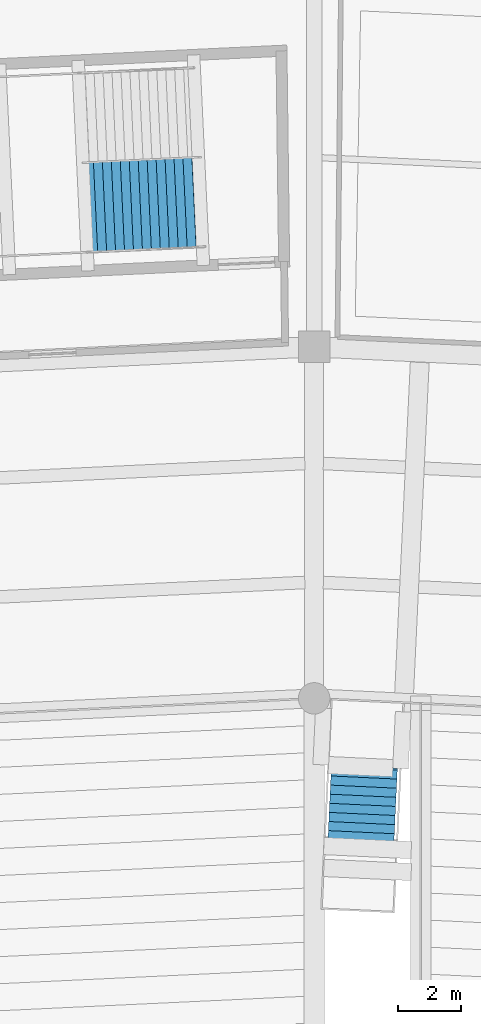
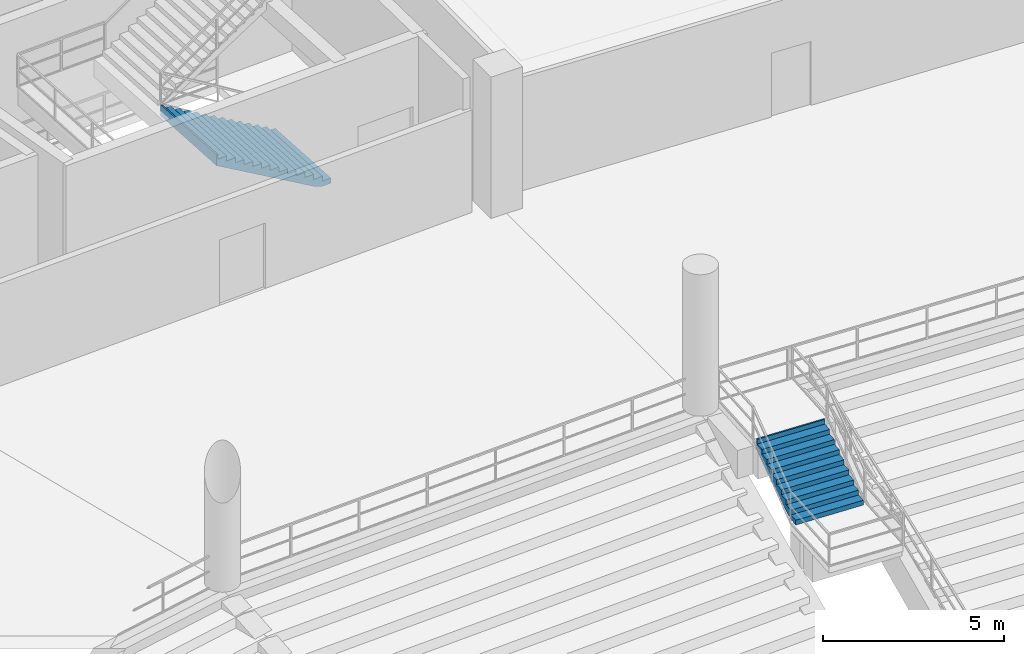
# One storey, part 136 of 156: 2 stair flights, 2 elements without a shape of their own.
"""IFC4 building model written with IfcOpenShell, lengths in metres."""

from ifc_helpers import new_model, si_unit, direction, frame, origin, place, context, subcontext, project, spatial, polygons, material, type_object, element, aggregate, save


model = new_model("IFC4")

# Units and contexts
model_context = context("Model", 3, precision=1e-05, world=origin(), true_north=direction((0.0, 1.0)))
body_context = subcontext(model_context, "Body", "Model", "MODEL_VIEW")
ifc_project = project(units=[si_unit("LENGTHUNIT", "METRE"), si_unit("AREAUNIT", "SQUARE_METRE"), si_unit("VOLUMEUNIT", "CUBIC_METRE"), si_unit("PLANEANGLEUNIT", "RADIAN"), si_unit("MASSUNIT", "GRAM", prefix="KILO")], contexts=[model_context])

# Site, building, storey
site_placement = place(None, origin())
site = spatial("IfcSite", under=ifc_project, at=site_placement, CompositionType="ELEMENT")
building_placement = place(site_placement, origin())
building = spatial("IfcBuilding", under=site, at=building_placement, Name="Kazemori Nagisa Stadium", CompositionType="ELEMENT")
storey_placement = place(building_placement, frame((0.0, 0.0, 5.780029296875)))
storey = spatial("IfcBuildingStorey", under=building, at=storey_placement, Name="L01", CompositionType="ELEMENT", Elevation=5.780029296875)

# Stair, stair flight
ifc_material = material(Name="Concrete C36/45 (Fc36)", Category="concrete")
stair_type_1 = type_object("IfcStairType", Name="Stair_CORE_28", PredefinedType="TWO_STRAIGHT_RUN_STAIR", material=ifc_material)
stair_1_placement = place(storey_placement, origin())
stair_1 = element("IfcStair", 1, at=stair_1_placement, inside=storey, type_object=stair_type_1, Name="Exit stair ST05 L01", PredefinedType="TWO_STRAIGHT_RUN_STAIR")
stair_flight_type_1 = type_object("IfcStairFlightType", Name="Flight_CORE_14", PredefinedType="STRAIGHT", material=ifc_material)
stair_flight_1_placement = place(storey_placement, frame((119.465087890625, 180.565673828125, 0.0), z_axis=(0.0, 0.0, 1.0), x_axis=(-0.998883292929, -0.047245815755, 0.0)))
stair_flight_1 = element("IfcStairFlight", 2, at=stair_flight_1_placement, type_object=stair_flight_type_1, Name="Exit stair ST05 L01 flight 1", NumberOfRisers=14, NumberOfTreads=13, PredefinedType="STRAIGHT", RiserHeight=0.17, TreadLength=0.285, context=body_context, shape_type="Tessellation", body=[
    polygons([(0.0, -1.425048828125, 0.0), (0.0, -1.425048828125, 0.169921875), (0.284912109375, -1.425048828125, 0.169921875), (0.284912109375, -1.425048828125, 0.340087890625), (0.570068359375, -1.425048828125, 0.340087890625), (0.570068359375, -1.425048828125, 0.510009765625), (0.85498046875, -1.425048828125, 0.510009765625), (0.85498046875, -1.425048828125, 0.679931640625), (1.139892578125, -1.425048828125, 0.679931640625), (1.139892578125, -1.425048828125, 0.85009765625), (1.425048828125, -1.425048828125, 0.85009765625), (1.425048828125, -1.425048828125, 1.02001953125), (1.7099609375, -1.425048828125, 1.02001953125), (1.7099609375, -1.425048828125, 1.18994140625), (1.9951171875, -1.425048828125, 1.18994140625), (1.9951171875, -1.425048828125, 1.360107421875), (2.280029296875, -1.425048828125, 1.360107421875), (2.280029296875, -1.425048828125, 1.530029296875), (2.56494140625, -1.425048828125, 1.530029296875), (2.56494140625, -1.425048828125, 1.699951171875), (2.85009765625, -1.425048828125, 1.699951171875), (2.85009765625, -1.425048828125, 1.8701171875), (3.135009765625, -1.425048828125, 1.8701171875), (3.135009765625, -1.425048828125, 2.0400390625), (3.419921875, -1.425048828125, 2.0400390625), (3.419921875, -1.425048828125, 2.2099609375), (3.705078125, -1.425048828125, 2.2099609375), (3.705078125, -1.425048828125, 2.3798828125), (3.7548828125, -1.425048828125, 2.3798828125), (3.7548828125, -1.425048828125, 2.007080078125), (3.705078125, -1.425048828125, 1.977294921875), (3.419921875, -1.425048828125, 1.80712890625), (3.135009765625, -1.425048828125, 1.63720703125), (2.85009765625, -1.425048828125, 1.46728515625), (2.56494140625, -1.425048828125, 1.297119140625), (2.280029296875, -1.425048828125, 1.127197265625), (1.9951171875, -1.425048828125, 0.957275390625), (1.7099609375, -1.425048828125, 0.787109375), (1.425048828125, -1.425048828125, 0.6171875), (1.139892578125, -1.425048828125, 0.447265625), (0.85498046875, -1.425048828125, 0.277099609375), (0.570068359375, -1.425048828125, 0.107177734375), (0.284912109375, -1.425048828125, 0.0), (0.0, -0.08544921875, 0.0), (0.0, -0.08544921875, 0.169921875), (0.284912109375, -0.08544921875, 0.169921875), (0.284912109375, -0.08544921875, 0.340087890625), (0.570068359375, -0.08544921875, 0.340087890625), (0.570068359375, -0.08544921875, 0.510009765625), (0.85498046875, -0.08544921875, 0.510009765625), (0.85498046875, -0.08544921875, 0.679931640625), (1.139892578125, -0.08544921875, 0.679931640625), (1.139892578125, -0.08544921875, 0.85009765625), (1.425048828125, -0.08544921875, 0.85009765625), (1.425048828125, -0.08544921875, 1.02001953125), (1.7099609375, -0.08544921875, 1.02001953125), (1.7099609375, -0.08544921875, 1.18994140625), (1.9951171875, -0.08544921875, 1.18994140625), (1.9951171875, -0.08544921875, 1.360107421875), (2.280029296875, -0.08544921875, 1.360107421875), (2.280029296875, -0.08544921875, 1.530029296875), (2.56494140625, -0.08544921875, 1.530029296875), (2.56494140625, -0.08544921875, 1.699951171875), (2.85009765625, -0.08544921875, 1.699951171875), (2.85009765625, -0.08544921875, 1.8701171875), (3.135009765625, -0.08544921875, 1.8701171875), (3.135009765625, -0.08544921875, 2.0400390625), (3.419921875, -0.08544921875, 2.0400390625), (3.419921875, -0.08544921875, 2.2099609375), (3.705078125, -0.08544921875, 2.2099609375), (3.705078125, -0.08544921875, 2.3798828125), (3.7548828125, -0.08544921875, 2.3798828125), (3.7548828125, -0.08544921875, 2.007080078125), (3.705078125, -0.08544921875, 1.977294921875), (3.419921875, -0.08544921875, 1.80712890625), (3.135009765625, -0.08544921875, 1.63720703125), (2.85009765625, -0.08544921875, 1.46728515625), (2.56494140625, -0.08544921875, 1.297119140625), (2.280029296875, -0.08544921875, 1.127197265625), (1.9951171875, -0.08544921875, 0.957275390625), (1.7099609375, -0.08544921875, 0.787109375), (1.425048828125, -0.08544921875, 0.6171875), (1.139892578125, -0.08544921875, 0.447265625), (0.85498046875, -0.08544921875, 0.277099609375), (0.570068359375, -0.08544921875, 0.107177734375), (0.284912109375, -0.08544921875, 0.0), (0.0, 0.0, 0.0), (0.0, 0.0, 0.169921875), (0.284912109375, 0.0, 0.169921875), (0.284912109375, 0.0, 0.340087890625), (0.570068359375, 0.0, 0.340087890625), (0.570068359375, 0.0, 0.510009765625), (0.85498046875, 0.0, 0.510009765625), (0.85498046875, 0.0, 0.679931640625), (1.139892578125, 0.0, 0.679931640625), (1.139892578125, 0.0, 0.85009765625), (1.425048828125, 0.0, 0.85009765625), (1.425048828125, 0.0, 1.02001953125), (1.7099609375, 0.0, 1.02001953125), (1.7099609375, 0.0, 1.18994140625), (1.9951171875, 0.0, 1.18994140625), (1.9951171875, 0.0, 1.360107421875), (2.280029296875, 0.0, 1.360107421875), (2.280029296875, 0.0, 1.530029296875), (2.56494140625, 0.0, 1.530029296875), (2.56494140625, 0.0, 1.699951171875), (2.85009765625, 0.0, 1.699951171875), (2.85009765625, 0.0, 1.8701171875), (3.135009765625, 0.0, 1.8701171875), (3.135009765625, 0.0, 2.0400390625), (3.419921875, 0.0, 2.0400390625), (3.419921875, 0.0, 2.2099609375), (3.705078125, 0.0, 2.2099609375), (3.705078125, 0.0, 2.3798828125), (3.7548828125, 0.0, 2.3798828125), (3.7548828125, 0.0, 2.007080078125), (3.705078125, 0.0, 1.977294921875), (3.419921875, 0.0, 1.80712890625), (3.135009765625, 0.0, 1.63720703125), (2.85009765625, 0.0, 1.46728515625), (2.56494140625, 0.0, 1.297119140625), (2.280029296875, 0.0, 1.127197265625), (1.9951171875, 0.0, 0.957275390625), (1.7099609375, 0.0, 0.787109375), (1.425048828125, 0.0, 0.6171875), (1.139892578125, 0.0, 0.447265625), (0.85498046875, 0.0, 0.277099609375), (0.570068359375, 0.0, 0.107177734375), (0.284912109375, 0.0, 0.0), (0.0, 0.08544921875, 0.0), (0.0, 0.08544921875, 0.169921875), (0.284912109375, 0.08544921875, 0.169921875), (0.284912109375, 0.08544921875, 0.340087890625), (0.570068359375, 0.08544921875, 0.340087890625), (0.570068359375, 0.08544921875, 0.510009765625), (0.85498046875, 0.08544921875, 0.510009765625), (0.85498046875, 0.08544921875, 0.679931640625), (1.139892578125, 0.08544921875, 0.679931640625), (1.139892578125, 0.08544921875, 0.85009765625), (1.425048828125, 0.08544921875, 0.85009765625), (1.425048828125, 0.08544921875, 1.02001953125), (1.7099609375, 0.08544921875, 1.02001953125), (1.7099609375, 0.08544921875, 1.18994140625), (1.9951171875, 0.08544921875, 1.18994140625), (1.9951171875, 0.08544921875, 1.360107421875), (2.280029296875, 0.08544921875, 1.360107421875), (2.280029296875, 0.08544921875, 1.530029296875), (2.56494140625, 0.08544921875, 1.530029296875), (2.56494140625, 0.08544921875, 1.699951171875), (2.85009765625, 0.08544921875, 1.699951171875), (2.85009765625, 0.08544921875, 1.8701171875), (3.135009765625, 0.08544921875, 1.8701171875), (3.135009765625, 0.08544921875, 2.0400390625), (3.419921875, 0.08544921875, 2.0400390625), (3.419921875, 0.08544921875, 2.2099609375), (3.705078125, 0.08544921875, 2.2099609375), (3.705078125, 0.08544921875, 2.3798828125), (3.7548828125, 0.08544921875, 2.3798828125), (3.7548828125, 0.08544921875, 2.007080078125), (3.705078125, 0.08544921875, 1.977294921875), (3.419921875, 0.08544921875, 1.80712890625), (3.135009765625, 0.08544921875, 1.63720703125), (2.85009765625, 0.08544921875, 1.46728515625), (2.56494140625, 0.08544921875, 1.297119140625), (2.280029296875, 0.08544921875, 1.127197265625), (1.9951171875, 0.08544921875, 0.957275390625), (1.7099609375, 0.08544921875, 0.787109375), (1.425048828125, 0.08544921875, 0.6171875), (1.139892578125, 0.08544921875, 0.447265625), (0.85498046875, 0.08544921875, 0.277099609375), (0.570068359375, 0.08544921875, 0.107177734375), (0.284912109375, 0.08544921875, 0.0), (0.0, 1.425048828125, 0.0), (0.0, 1.425048828125, 0.169921875), (0.284912109375, 1.425048828125, 0.169921875), (0.284912109375, 1.425048828125, 0.340087890625), (0.570068359375, 1.425048828125, 0.340087890625), (0.570068359375, 1.425048828125, 0.510009765625), (0.85498046875, 1.425048828125, 0.510009765625), (0.85498046875, 1.425048828125, 0.679931640625), (1.139892578125, 1.425048828125, 0.679931640625), (1.139892578125, 1.425048828125, 0.85009765625), (1.425048828125, 1.425048828125, 0.85009765625), (1.425048828125, 1.425048828125, 1.02001953125), (1.7099609375, 1.425048828125, 1.02001953125), (1.7099609375, 1.425048828125, 1.18994140625), (1.9951171875, 1.425048828125, 1.18994140625), (1.9951171875, 1.425048828125, 1.360107421875), (2.280029296875, 1.425048828125, 1.360107421875), (2.280029296875, 1.425048828125, 1.530029296875), (2.56494140625, 1.425048828125, 1.530029296875), (2.56494140625, 1.425048828125, 1.699951171875), (2.85009765625, 1.425048828125, 1.699951171875), (2.85009765625, 1.425048828125, 1.8701171875), (3.135009765625, 1.425048828125, 1.8701171875), (3.135009765625, 1.425048828125, 2.0400390625), (3.419921875, 1.425048828125, 2.0400390625), (3.419921875, 1.425048828125, 2.2099609375), (3.705078125, 1.425048828125, 2.2099609375), (3.705078125, 1.425048828125, 2.3798828125), (3.7548828125, 1.425048828125, 2.3798828125), (3.7548828125, 1.425048828125, 2.007080078125), (3.705078125, 1.425048828125, 1.977294921875), (3.419921875, 1.425048828125, 1.80712890625), (3.135009765625, 1.425048828125, 1.63720703125), (2.85009765625, 1.425048828125, 1.46728515625), (2.56494140625, 1.425048828125, 1.297119140625), (2.280029296875, 1.425048828125, 1.127197265625), (1.9951171875, 1.425048828125, 0.957275390625), (1.7099609375, 1.425048828125, 0.787109375), (1.425048828125, 1.425048828125, 0.6171875), (1.139892578125, 1.425048828125, 0.447265625), (0.85498046875, 1.425048828125, 0.277099609375), (0.570068359375, 1.425048828125, 0.107177734375), (0.284912109375, 1.425048828125, 0.0)], [[[1, 2, 45]], [[1, 45, 44]], [[2, 3, 46]], [[2, 46, 45]], [[3, 4, 47]], [[3, 47, 46]], [[4, 5, 48]], [[4, 48, 47]], [[5, 6, 49]], [[5, 49, 48]], [[6, 7, 50]], [[6, 50, 49]], [[7, 8, 51]], [[7, 51, 50]], [[8, 9, 52]], [[8, 52, 51]], [[9, 10, 53]], [[9, 53, 52]], [[10, 11, 54]], [[10, 54, 53]], [[11, 12, 55]], [[11, 55, 54]], [[12, 13, 56]], [[12, 56, 55]], [[13, 14, 57]], [[13, 57, 56]], [[14, 15, 58]], [[14, 58, 57]], [[15, 16, 59]], [[15, 59, 58]], [[16, 17, 60]], [[16, 60, 59]], [[17, 18, 61]], [[17, 61, 60]], [[18, 19, 62]], [[18, 62, 61]], [[19, 20, 63]], [[19, 63, 62]], [[20, 21, 64]], [[20, 64, 63]], [[21, 22, 65]], [[21, 65, 64]], [[22, 23, 66]], [[22, 66, 65]], [[23, 24, 67]], [[23, 67, 66]], [[24, 25, 68]], [[24, 68, 67]], [[25, 26, 69]], [[25, 69, 68]], [[26, 27, 70]], [[26, 70, 69]], [[27, 28, 71]], [[27, 71, 70]], [[28, 29, 72]], [[28, 72, 71]], [[29, 30, 73]], [[29, 73, 72]], [[30, 31, 74]], [[30, 74, 73]], [[31, 32, 75]], [[31, 75, 74]], [[32, 33, 76]], [[32, 76, 75]], [[33, 34, 77]], [[33, 77, 76]], [[34, 35, 78]], [[34, 78, 77]], [[35, 36, 79]], [[35, 79, 78]], [[36, 37, 80]], [[36, 80, 79]], [[37, 38, 81]], [[37, 81, 80]], [[38, 39, 82]], [[38, 82, 81]], [[39, 40, 83]], [[39, 83, 82]], [[40, 41, 84]], [[40, 84, 83]], [[41, 42, 85]], [[41, 85, 84]], [[42, 43, 86]], [[42, 86, 85]], [[43, 1, 44]], [[43, 44, 86]], [[44, 45, 88]], [[44, 88, 87]], [[45, 46, 89]], [[45, 89, 88]], [[46, 47, 90]], [[46, 90, 89]], [[47, 48, 91]], [[47, 91, 90]], [[48, 49, 92]], [[48, 92, 91]], [[49, 50, 93]], [[49, 93, 92]], [[50, 51, 94]], [[50, 94, 93]], [[51, 52, 95]], [[51, 95, 94]], [[52, 53, 96]], [[52, 96, 95]], [[53, 54, 97]], [[53, 97, 96]], [[54, 55, 98]], [[54, 98, 97]], [[55, 56, 99]], [[55, 99, 98]], [[56, 57, 100]], [[56, 100, 99]], [[57, 58, 101]], [[57, 101, 100]], [[58, 59, 102]], [[58, 102, 101]], [[59, 60, 103]], [[59, 103, 102]], [[60, 61, 104]], [[60, 104, 103]], [[61, 62, 105]], [[61, 105, 104]], [[62, 63, 106]], [[62, 106, 105]], [[63, 64, 107]], [[63, 107, 106]], [[64, 65, 108]], [[64, 108, 107]], [[65, 66, 109]], [[65, 109, 108]], [[66, 67, 110]], [[66, 110, 109]], [[67, 68, 111]], [[67, 111, 110]], [[68, 69, 112]], [[68, 112, 111]], [[69, 70, 113]], [[69, 113, 112]], [[70, 71, 114]], [[70, 114, 113]], [[71, 72, 115]], [[71, 115, 114]], [[72, 73, 116]], [[72, 116, 115]], [[73, 74, 117]], [[73, 117, 116]], [[74, 75, 118]], [[74, 118, 117]], [[75, 76, 119]], [[75, 119, 118]], [[76, 77, 120]], [[76, 120, 119]], [[77, 78, 121]], [[77, 121, 120]], [[78, 79, 122]], [[78, 122, 121]], [[79, 80, 123]], [[79, 123, 122]], [[80, 81, 124]], [[80, 124, 123]], [[81, 82, 125]], [[81, 125, 124]], [[82, 83, 126]], [[82, 126, 125]], [[83, 84, 127]], [[83, 127, 126]], [[84, 85, 128]], [[84, 128, 127]], [[85, 86, 129]], [[85, 129, 128]], [[86, 44, 87]], [[86, 87, 129]], [[87, 88, 131]], [[87, 131, 130]], [[88, 89, 132]], [[88, 132, 131]], [[89, 90, 133]], [[89, 133, 132]], [[90, 91, 134]], [[90, 134, 133]], [[91, 92, 135]], [[91, 135, 134]], [[92, 93, 136]], [[92, 136, 135]], [[93, 94, 137]], [[93, 137, 136]], [[94, 95, 138]], [[94, 138, 137]], [[95, 96, 139]], [[95, 139, 138]], [[96, 97, 140]], [[96, 140, 139]], [[97, 98, 141]], [[97, 141, 140]], [[98, 99, 142]], [[98, 142, 141]], [[99, 100, 143]], [[99, 143, 142]], [[100, 101, 144]], [[100, 144, 143]], [[101, 102, 145]], [[101, 145, 144]], [[102, 103, 146]], [[102, 146, 145]], [[103, 104, 147]], [[103, 147, 146]], [[104, 105, 148]], [[104, 148, 147]], [[105, 106, 149]], [[105, 149, 148]], [[106, 107, 150]], [[106, 150, 149]], [[107, 108, 151]], [[107, 151, 150]], [[108, 109, 152]], [[108, 152, 151]], [[109, 110, 153]], [[109, 153, 152]], [[110, 111, 154]], [[110, 154, 153]], [[111, 112, 155]], [[111, 155, 154]], [[112, 113, 156]], [[112, 156, 155]], [[113, 114, 157]], [[113, 157, 156]], [[114, 115, 158]], [[114, 158, 157]], [[115, 116, 159]], [[115, 159, 158]], [[116, 117, 160]], [[116, 160, 159]], [[117, 118, 161]], [[117, 161, 160]], [[118, 119, 162]], [[118, 162, 161]], [[119, 120, 163]], [[119, 163, 162]], [[120, 121, 164]], [[120, 164, 163]], [[121, 122, 165]], [[121, 165, 164]], [[122, 123, 166]], [[122, 166, 165]], [[123, 124, 167]], [[123, 167, 166]], [[124, 125, 168]], [[124, 168, 167]], [[125, 126, 169]], [[125, 169, 168]], [[126, 127, 170]], [[126, 170, 169]], [[127, 128, 171]], [[127, 171, 170]], [[128, 129, 172]], [[128, 172, 171]], [[129, 87, 130]], [[129, 130, 172]], [[130, 131, 174]], [[130, 174, 173]], [[131, 132, 175]], [[131, 175, 174]], [[132, 133, 176]], [[132, 176, 175]], [[133, 134, 177]], [[133, 177, 176]], [[134, 135, 178]], [[134, 178, 177]], [[135, 136, 179]], [[135, 179, 178]], [[136, 137, 180]], [[136, 180, 179]], [[137, 138, 181]], [[137, 181, 180]], [[138, 139, 182]], [[138, 182, 181]], [[139, 140, 183]], [[139, 183, 182]], [[140, 141, 184]], [[140, 184, 183]], [[141, 142, 185]], [[141, 185, 184]], [[142, 143, 186]], [[142, 186, 185]], [[143, 144, 187]], [[143, 187, 186]], [[144, 145, 188]], [[144, 188, 187]], [[145, 146, 189]], [[145, 189, 188]], [[146, 147, 190]], [[146, 190, 189]], [[147, 148, 191]], [[147, 191, 190]], [[148, 149, 192]], [[148, 192, 191]], [[149, 150, 193]], [[149, 193, 192]], [[150, 151, 194]], [[150, 194, 193]], [[151, 152, 195]], [[151, 195, 194]], [[152, 153, 196]], [[152, 196, 195]], [[153, 154, 197]], [[153, 197, 196]], [[154, 155, 198]], [[154, 198, 197]], [[155, 156, 199]], [[155, 199, 198]], [[156, 157, 200]], [[156, 200, 199]], [[157, 158, 201]], [[157, 201, 200]], [[158, 159, 202]], [[158, 202, 201]], [[159, 160, 203]], [[159, 203, 202]], [[160, 161, 204]], [[160, 204, 203]], [[161, 162, 205]], [[161, 205, 204]], [[162, 163, 206]], [[162, 206, 205]], [[163, 164, 207]], [[163, 207, 206]], [[164, 165, 208]], [[164, 208, 207]], [[165, 166, 209]], [[165, 209, 208]], [[166, 167, 210]], [[166, 210, 209]], [[167, 168, 211]], [[167, 211, 210]], [[168, 169, 212]], [[168, 212, 211]], [[169, 170, 213]], [[169, 213, 212]], [[170, 171, 214]], [[170, 214, 213]], [[171, 172, 215]], [[171, 215, 214]], [[172, 130, 173]], [[172, 173, 215]], [[3, 2, 1]], [[173, 174, 175]], [[43, 3, 1]], [[173, 175, 215]], [[42, 3, 43]], [[215, 175, 214]], [[5, 3, 42]], [[214, 175, 177]], [[5, 4, 3]], [[175, 176, 177]], [[41, 5, 42]], [[214, 177, 213]], [[7, 5, 41]], [[213, 177, 179]], [[7, 6, 5]], [[177, 178, 179]], [[40, 7, 41]], [[213, 179, 212]], [[9, 7, 40]], [[212, 179, 181]], [[9, 8, 7]], [[179, 180, 181]], [[39, 9, 40]], [[212, 181, 211]], [[11, 9, 39]], [[211, 181, 183]], [[11, 10, 9]], [[181, 182, 183]], [[38, 11, 39]], [[211, 183, 210]], [[13, 11, 38]], [[210, 183, 185]], [[13, 12, 11]], [[183, 184, 185]], [[37, 13, 38]], [[210, 185, 209]], [[15, 13, 37]], [[209, 185, 187]], [[15, 14, 13]], [[185, 186, 187]], [[36, 15, 37]], [[209, 187, 208]], [[17, 15, 36]], [[208, 187, 189]], [[17, 16, 15]], [[187, 188, 189]], [[35, 17, 36]], [[208, 189, 207]], [[19, 17, 35]], [[207, 189, 191]], [[19, 18, 17]], [[189, 190, 191]], [[34, 19, 35]], [[207, 191, 206]], [[21, 19, 34]], [[206, 191, 193]], [[21, 20, 19]], [[191, 192, 193]], [[33, 21, 34]], [[206, 193, 205]], [[23, 21, 33]], [[205, 193, 195]], [[23, 22, 21]], [[193, 194, 195]], [[32, 23, 33]], [[205, 195, 204]], [[25, 23, 32]], [[204, 195, 197]], [[25, 24, 23]], [[195, 196, 197]], [[31, 25, 32]], [[204, 197, 203]], [[27, 25, 31]], [[203, 197, 199]], [[27, 26, 25]], [[197, 198, 199]], [[30, 27, 31]], [[203, 199, 202]], [[29, 27, 30]], [[202, 199, 201]], [[29, 28, 27]], [[199, 200, 201]]], closed=True),
])
aggregate(stair_1, [stair_flight_1])

stair_type_2 = type_object("IfcStairType", Name="Stair_VOM_VL", PredefinedType="STRAIGHT_RUN_STAIR", material=ifc_material)
stair_2_placement = place(storey_placement, origin())
stair_2 = element("IfcStair", 3, at=stair_2_placement, inside=storey, type_object=stair_type_2, Name="Vomitory stair lower VL03", PredefinedType="STRAIGHT_RUN_STAIR")
stair_flight_type_2 = type_object("IfcStairFlightType", Name="Flight_VOM_VL", PredefinedType="STRAIGHT", material=ifc_material)
stair_flight_2_placement = place(storey_placement, frame((124.487060546875, 160.234619140625, -1.43994140625), z_axis=(0.0, 0.0, 1.0), x_axis=(0.047145158645, 0.99888804879, 0.0)))
stair_flight_2 = element("IfcStairFlight", 4, at=stair_flight_2_placement, type_object=stair_flight_type_2, Name="Vomitory stair lower VL03 flight", NumberOfRisers=9, NumberOfTreads=8, PredefinedType="STRAIGHT", RiserHeight=0.16, TreadLength=0.29, context=body_context, shape_type="Tessellation", body=[
    polygons([(0.0, -1.050048828125, 0.0), (0.0, -1.050048828125, 0.159912109375), (0.2900390625, -1.050048828125, 0.159912109375), (0.2900390625, -1.050048828125, 0.320068359375), (0.580078125, -1.050048828125, 0.320068359375), (0.580078125, -1.050048828125, 0.47998046875), (0.8701171875, -1.050048828125, 0.47998046875), (0.8701171875, -1.050048828125, 0.639892578125), (1.159912109375, -1.050048828125, 0.639892578125), (1.159912109375, -1.050048828125, 0.800048828125), (1.449951171875, -1.050048828125, 0.800048828125), (1.449951171875, -1.050048828125, 0.9599609375), (1.739990234375, -1.050048828125, 0.9599609375), (1.739990234375, -1.050048828125, 1.1201171875), (2.030029296875, -1.050048828125, 1.1201171875), (2.030029296875, -1.050048828125, 1.280029296875), (2.320068359375, -1.050048828125, 1.280029296875), (2.320068359375, -1.050048828125, 1.43994140625), (2.3701171875, -1.050048828125, 1.43994140625), (2.3701171875, -1.050048828125, 1.10205078125), (2.320068359375, -1.050048828125, 1.074462890625), (2.030029296875, -1.050048828125, 0.91455078125), (1.739990234375, -1.050048828125, 0.75439453125), (1.449951171875, -1.050048828125, 0.594482421875), (1.159912109375, -1.050048828125, 0.4345703125), (0.8701171875, -1.050048828125, 0.2744140625), (0.580078125, -1.050048828125, 0.114501953125), (0.2900390625, -1.050048828125, 0.0), (0.0, -0.06298828125, 0.0), (0.0, -0.06298828125, 0.159912109375), (0.2900390625, -0.06298828125, 0.159912109375), (0.2900390625, -0.06298828125, 0.320068359375), (0.580078125, -0.06298828125, 0.320068359375), (0.580078125, -0.06298828125, 0.47998046875), (0.8701171875, -0.06298828125, 0.47998046875), (0.8701171875, -0.06298828125, 0.639892578125), (1.159912109375, -0.06298828125, 0.639892578125), (1.159912109375, -0.06298828125, 0.800048828125), (1.449951171875, -0.06298828125, 0.800048828125), (1.449951171875, -0.06298828125, 0.9599609375), (1.739990234375, -0.06298828125, 0.9599609375), (1.739990234375, -0.06298828125, 1.1201171875), (2.030029296875, -0.06298828125, 1.1201171875), (2.030029296875, -0.06298828125, 1.280029296875), (2.320068359375, -0.06298828125, 1.280029296875), (2.320068359375, -0.06298828125, 1.43994140625), (2.3701171875, -0.06298828125, 1.43994140625), (2.3701171875, -0.06298828125, 1.10205078125), (2.320068359375, -0.06298828125, 1.074462890625), (2.030029296875, -0.06298828125, 0.91455078125), (1.739990234375, -0.06298828125, 0.75439453125), (1.449951171875, -0.06298828125, 0.594482421875), (1.159912109375, -0.06298828125, 0.4345703125), (0.8701171875, -0.06298828125, 0.2744140625), (0.580078125, -0.06298828125, 0.114501953125), (0.2900390625, -0.06298828125, 0.0), (0.0, 0.0, 0.0), (0.0, 0.0, 0.159912109375), (0.2900390625, 0.0, 0.159912109375), (0.2900390625, 0.0, 0.320068359375), (0.580078125, 0.0, 0.320068359375), (0.580078125, 0.0, 0.47998046875), (0.8701171875, 0.0, 0.47998046875), (0.8701171875, 0.0, 0.639892578125), (1.159912109375, 0.0, 0.639892578125), (1.159912109375, 0.0, 0.800048828125), (1.449951171875, 0.0, 0.800048828125), (1.449951171875, 0.0, 0.9599609375), (1.739990234375, 0.0, 0.9599609375), (1.739990234375, 0.0, 1.1201171875), (2.030029296875, 0.0, 1.1201171875), (2.030029296875, 0.0, 1.280029296875), (2.320068359375, 0.0, 1.280029296875), (2.320068359375, 0.0, 1.43994140625), (2.3701171875, 0.0, 1.43994140625), (2.3701171875, 0.0, 1.10205078125), (2.320068359375, 0.0, 1.074462890625), (2.030029296875, 0.0, 0.91455078125), (1.739990234375, 0.0, 0.75439453125), (1.449951171875, 0.0, 0.594482421875), (1.159912109375, 0.0, 0.4345703125), (0.8701171875, 0.0, 0.2744140625), (0.580078125, 0.0, 0.114501953125), (0.2900390625, 0.0, 0.0), (0.0, 0.06298828125, 0.0), (0.0, 0.06298828125, 0.159912109375), (0.2900390625, 0.06298828125, 0.159912109375), (0.2900390625, 0.06298828125, 0.320068359375), (0.580078125, 0.06298828125, 0.320068359375), (0.580078125, 0.06298828125, 0.47998046875), (0.8701171875, 0.06298828125, 0.47998046875), (0.8701171875, 0.06298828125, 0.639892578125), (1.159912109375, 0.06298828125, 0.639892578125), (1.159912109375, 0.06298828125, 0.800048828125), (1.449951171875, 0.06298828125, 0.800048828125), (1.449951171875, 0.06298828125, 0.9599609375), (1.739990234375, 0.06298828125, 0.9599609375), (1.739990234375, 0.06298828125, 1.1201171875), (2.030029296875, 0.06298828125, 1.1201171875), (2.030029296875, 0.06298828125, 1.280029296875), (2.320068359375, 0.06298828125, 1.280029296875), (2.320068359375, 0.06298828125, 1.43994140625), (2.3701171875, 0.06298828125, 1.43994140625), (2.3701171875, 0.06298828125, 1.10205078125), (2.320068359375, 0.06298828125, 1.074462890625), (2.030029296875, 0.06298828125, 0.91455078125), (1.739990234375, 0.06298828125, 0.75439453125), (1.449951171875, 0.06298828125, 0.594482421875), (1.159912109375, 0.06298828125, 0.4345703125), (0.8701171875, 0.06298828125, 0.2744140625), (0.580078125, 0.06298828125, 0.114501953125), (0.2900390625, 0.06298828125, 0.0), (0.0, 1.050048828125, 0.0), (0.0, 1.050048828125, 0.159912109375), (0.2900390625, 1.050048828125, 0.159912109375), (0.2900390625, 1.050048828125, 0.320068359375), (0.580078125, 1.050048828125, 0.320068359375), (0.580078125, 1.050048828125, 0.47998046875), (0.8701171875, 1.050048828125, 0.47998046875), (0.8701171875, 1.050048828125, 0.639892578125), (1.159912109375, 1.050048828125, 0.639892578125), (1.159912109375, 1.050048828125, 0.800048828125), (1.449951171875, 1.050048828125, 0.800048828125), (1.449951171875, 1.050048828125, 0.9599609375), (1.739990234375, 1.050048828125, 0.9599609375), (1.739990234375, 1.050048828125, 1.1201171875), (2.030029296875, 1.050048828125, 1.1201171875), (2.030029296875, 1.050048828125, 1.280029296875), (2.320068359375, 1.050048828125, 1.280029296875), (2.320068359375, 1.050048828125, 1.43994140625), (2.3701171875, 1.050048828125, 1.43994140625), (2.3701171875, 1.050048828125, 1.10205078125), (2.320068359375, 1.050048828125, 1.074462890625), (2.030029296875, 1.050048828125, 0.91455078125), (1.739990234375, 1.050048828125, 0.75439453125), (1.449951171875, 1.050048828125, 0.594482421875), (1.159912109375, 1.050048828125, 0.4345703125), (0.8701171875, 1.050048828125, 0.2744140625), (0.580078125, 1.050048828125, 0.114501953125), (0.2900390625, 1.050048828125, 0.0)], [[[1, 2, 30]], [[1, 30, 29]], [[2, 3, 31]], [[2, 31, 30]], [[3, 4, 32]], [[3, 32, 31]], [[4, 5, 33]], [[4, 33, 32]], [[5, 6, 34]], [[5, 34, 33]], [[6, 7, 35]], [[6, 35, 34]], [[7, 8, 36]], [[7, 36, 35]], [[8, 9, 37]], [[8, 37, 36]], [[9, 10, 38]], [[9, 38, 37]], [[10, 11, 39]], [[10, 39, 38]], [[11, 12, 40]], [[11, 40, 39]], [[12, 13, 41]], [[12, 41, 40]], [[13, 14, 42]], [[13, 42, 41]], [[14, 15, 43]], [[14, 43, 42]], [[15, 16, 44]], [[15, 44, 43]], [[16, 17, 45]], [[16, 45, 44]], [[17, 18, 46]], [[17, 46, 45]], [[18, 19, 47]], [[18, 47, 46]], [[19, 20, 48]], [[19, 48, 47]], [[20, 21, 49]], [[20, 49, 48]], [[21, 22, 50]], [[21, 50, 49]], [[22, 23, 51]], [[22, 51, 50]], [[23, 24, 52]], [[23, 52, 51]], [[24, 25, 53]], [[24, 53, 52]], [[25, 26, 54]], [[25, 54, 53]], [[26, 27, 55]], [[26, 55, 54]], [[27, 28, 56]], [[27, 56, 55]], [[28, 1, 29]], [[28, 29, 56]], [[29, 30, 58]], [[29, 58, 57]], [[30, 31, 59]], [[30, 59, 58]], [[31, 32, 60]], [[31, 60, 59]], [[32, 33, 61]], [[32, 61, 60]], [[33, 34, 62]], [[33, 62, 61]], [[34, 35, 63]], [[34, 63, 62]], [[35, 36, 64]], [[35, 64, 63]], [[36, 37, 65]], [[36, 65, 64]], [[37, 38, 66]], [[37, 66, 65]], [[38, 39, 67]], [[38, 67, 66]], [[39, 40, 68]], [[39, 68, 67]], [[40, 41, 69]], [[40, 69, 68]], [[41, 42, 70]], [[41, 70, 69]], [[42, 43, 71]], [[42, 71, 70]], [[43, 44, 72]], [[43, 72, 71]], [[44, 45, 73]], [[44, 73, 72]], [[45, 46, 74]], [[45, 74, 73]], [[46, 47, 75]], [[46, 75, 74]], [[47, 48, 76]], [[47, 76, 75]], [[48, 49, 77]], [[48, 77, 76]], [[49, 50, 78]], [[49, 78, 77]], [[50, 51, 79]], [[50, 79, 78]], [[51, 52, 80]], [[51, 80, 79]], [[52, 53, 81]], [[52, 81, 80]], [[53, 54, 82]], [[53, 82, 81]], [[54, 55, 83]], [[54, 83, 82]], [[55, 56, 84]], [[55, 84, 83]], [[56, 29, 57]], [[56, 57, 84]], [[57, 58, 86]], [[57, 86, 85]], [[58, 59, 87]], [[58, 87, 86]], [[59, 60, 88]], [[59, 88, 87]], [[60, 61, 89]], [[60, 89, 88]], [[61, 62, 90]], [[61, 90, 89]], [[62, 63, 91]], [[62, 91, 90]], [[63, 64, 92]], [[63, 92, 91]], [[64, 65, 93]], [[64, 93, 92]], [[65, 66, 94]], [[65, 94, 93]], [[66, 67, 95]], [[66, 95, 94]], [[67, 68, 96]], [[67, 96, 95]], [[68, 69, 97]], [[68, 97, 96]], [[69, 70, 98]], [[69, 98, 97]], [[70, 71, 99]], [[70, 99, 98]], [[71, 72, 100]], [[71, 100, 99]], [[72, 73, 101]], [[72, 101, 100]], [[73, 74, 102]], [[73, 102, 101]], [[74, 75, 103]], [[74, 103, 102]], [[75, 76, 104]], [[75, 104, 103]], [[76, 77, 105]], [[76, 105, 104]], [[77, 78, 106]], [[77, 106, 105]], [[78, 79, 107]], [[78, 107, 106]], [[79, 80, 108]], [[79, 108, 107]], [[80, 81, 109]], [[80, 109, 108]], [[81, 82, 110]], [[81, 110, 109]], [[82, 83, 111]], [[82, 111, 110]], [[83, 84, 112]], [[83, 112, 111]], [[84, 57, 85]], [[84, 85, 112]], [[85, 86, 114]], [[85, 114, 113]], [[86, 87, 115]], [[86, 115, 114]], [[87, 88, 116]], [[87, 116, 115]], [[88, 89, 117]], [[88, 117, 116]], [[89, 90, 118]], [[89, 118, 117]], [[90, 91, 119]], [[90, 119, 118]], [[91, 92, 120]], [[91, 120, 119]], [[92, 93, 121]], [[92, 121, 120]], [[93, 94, 122]], [[93, 122, 121]], [[94, 95, 123]], [[94, 123, 122]], [[95, 96, 124]], [[95, 124, 123]], [[96, 97, 125]], [[96, 125, 124]], [[97, 98, 126]], [[97, 126, 125]], [[98, 99, 127]], [[98, 127, 126]], [[99, 100, 128]], [[99, 128, 127]], [[100, 101, 129]], [[100, 129, 128]], [[101, 102, 130]], [[101, 130, 129]], [[102, 103, 131]], [[102, 131, 130]], [[103, 104, 132]], [[103, 132, 131]], [[104, 105, 133]], [[104, 133, 132]], [[105, 106, 134]], [[105, 134, 133]], [[106, 107, 135]], [[106, 135, 134]], [[107, 108, 136]], [[107, 136, 135]], [[108, 109, 137]], [[108, 137, 136]], [[109, 110, 138]], [[109, 138, 137]], [[110, 111, 139]], [[110, 139, 138]], [[111, 112, 140]], [[111, 140, 139]], [[112, 85, 113]], [[112, 113, 140]], [[3, 2, 1]], [[113, 114, 115]], [[28, 3, 1]], [[113, 115, 140]], [[27, 3, 28]], [[140, 115, 139]], [[5, 3, 27]], [[139, 115, 117]], [[5, 4, 3]], [[115, 116, 117]], [[26, 5, 27]], [[139, 117, 138]], [[7, 5, 26]], [[138, 117, 119]], [[7, 6, 5]], [[117, 118, 119]], [[25, 7, 26]], [[138, 119, 137]], [[9, 7, 25]], [[137, 119, 121]], [[9, 8, 7]], [[119, 120, 121]], [[24, 9, 25]], [[137, 121, 136]], [[11, 9, 24]], [[136, 121, 123]], [[11, 10, 9]], [[121, 122, 123]], [[23, 11, 24]], [[136, 123, 135]], [[13, 11, 23]], [[135, 123, 125]], [[13, 12, 11]], [[123, 124, 125]], [[22, 13, 23]], [[135, 125, 134]], [[15, 13, 22]], [[134, 125, 127]], [[15, 14, 13]], [[125, 126, 127]], [[21, 15, 22]], [[134, 127, 133]], [[17, 15, 21]], [[133, 127, 129]], [[17, 16, 15]], [[127, 128, 129]], [[20, 17, 21]], [[133, 129, 132]], [[19, 17, 20]], [[132, 129, 131]], [[19, 18, 17]], [[129, 130, 131]]], closed=True),
])
aggregate(stair_2, [stair_flight_2])

save(model, "model.ifc")
